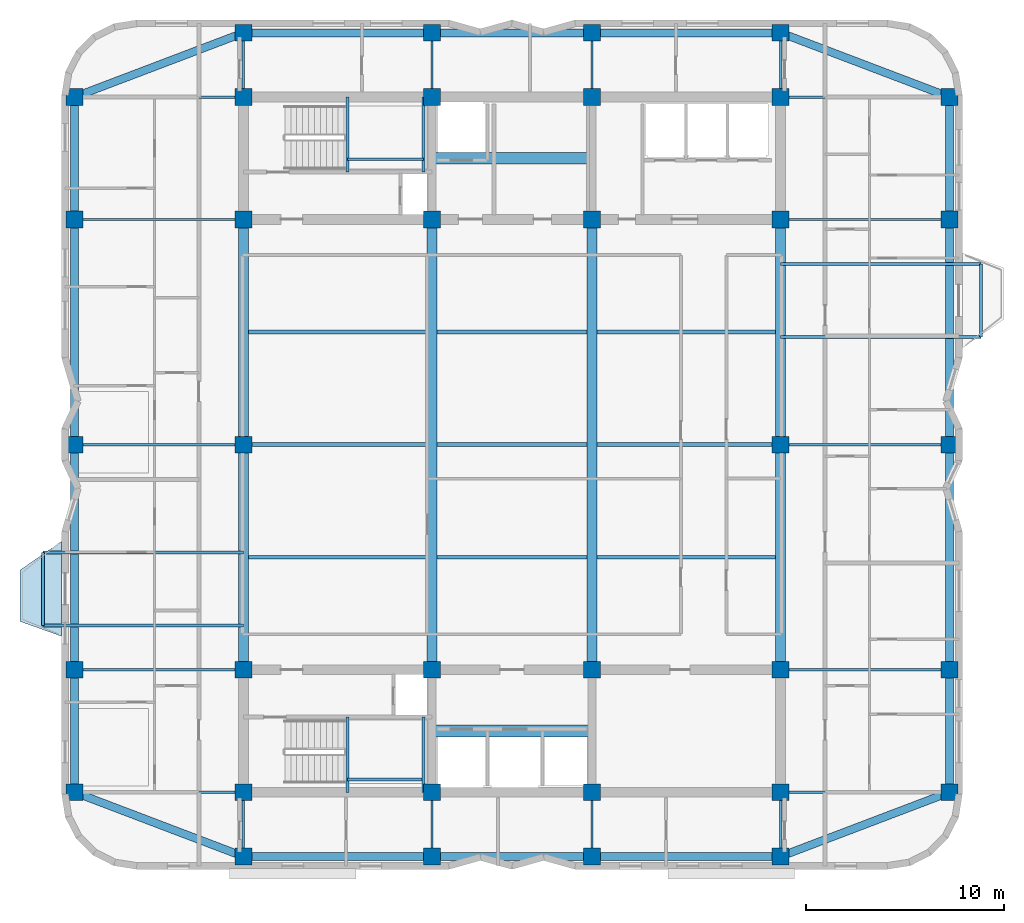
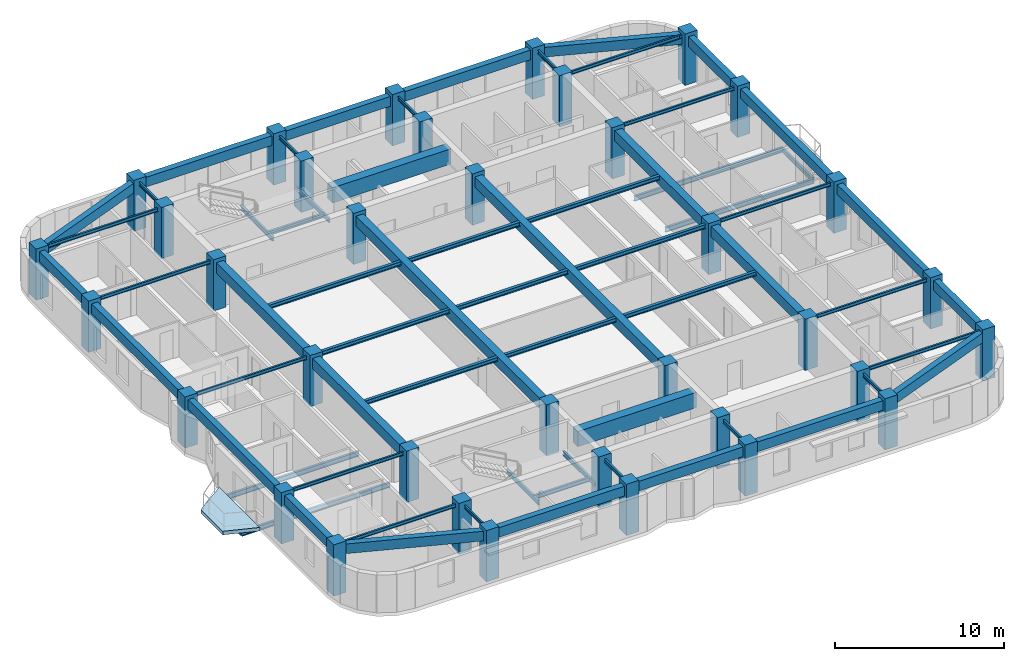
# One storey, part 1 of 9: 65 beams, 36 columns, 1 slab.
"""IFC4 building model written with IfcOpenShell, lengths in metres."""

from ifc_helpers import new_model, si_unit, direction, frame, origin, origin_2d, place, context, subcontext, project, spatial, polyline, rectangle, i_section, outline, extrude, material, layer, layer_set, material_profile, profile_set, type_object, element, save


model = new_model("IFC4")

# Units and contexts
model_context = context("Model", 3, precision=1e-05, world=origin(), true_north=direction((0.0, 1.0)))
body_context = subcontext(model_context, "Body", "Model", "MODEL_VIEW")
ifc_project = project(units=[si_unit("LENGTHUNIT", "METRE"), si_unit("AREAUNIT", "SQUARE_METRE"), si_unit("VOLUMEUNIT", "CUBIC_METRE"), si_unit("PLANEANGLEUNIT", "RADIAN"), si_unit("MASSUNIT", "GRAM", prefix="KILO")], contexts=[model_context])

# Site, building, storey
site_placement = place(None, origin())
site = spatial("IfcSite", under=ifc_project, at=site_placement, CompositionType="ELEMENT")
building_placement = place(site_placement, origin())
building = spatial("IfcBuilding", under=site, at=building_placement, Name="Svetorya Sky Lyceum", CompositionType="ELEMENT")
storey_placement = place(building_placement, frame((0.0, 0.0, 214.699951171875)))
storey = spatial("IfcBuildingStorey", under=building, at=storey_placement, Name="L53", CompositionType="ELEMENT", Elevation=214.699951171875)

# Columns
ifc_material_1 = material(Name="Concrete C50/60", Category="concrete")
ifc_material_profile_1 = material_profile(ifc_material_1, rectangle(XDim=0.85009765625, YDim=0.85009765625, at=origin_2d()), Name="RC COL 850x850")
ifc_profile_set_1 = profile_set([ifc_material_profile_1], Name="Concrete C50/60")
column_type = type_object("IfcColumnType", Name="COL-RC-850", PredefinedType="COLUMN", material=ifc_profile_set_1)
for number, where, z_axis, x_axis, name in (
    (1, (25.60009765625, 10.60009765625, 0.0), (0.0, 0.0, 1.0), (1.0, 0.0, 0.0), "L53 Core Column CS-11"),
    (2, (25.60009765625, 16.800048828125, 0.0), (0.0, 0.0, 1.0), (1.0, 0.0, 0.0), "L53 Core Column CS-12"),
    (3, (35.14990234375, 10.60009765625, 0.0), (0.0, 0.0, 1.0), (1.0, 0.0, 0.0), "L53 Core Column CS-21"),
    (4, (35.14990234375, 16.800048828125, 0.0), (0.0, 0.0, 1.0), (1.0, 0.0, 0.0), "L53 Core Column CS-22"),
    (5, (43.25, 10.60009765625, 0.0), (0.0, 0.0, 1.0), (1.0, 0.0, 0.0), "L53 Core Column CS-31"),
    (6, (43.25, 16.800048828125, 0.0), (0.0, 0.0, 1.0), (1.0, 0.0, 0.0), "L53 Core Column CS-32"),
    (7, (52.800048828125, 10.60009765625, 0.0), (0.0, 0.0, 1.0), (1.0, 0.0, 0.0), "L53 Core Column CS-41"),
    (8, (52.800048828125, 16.800048828125, 0.0), (0.0, 0.0, 1.0), (1.0, 0.0, 0.0), "L53 Core Column CS-42"),
    (9, (25.60009765625, 39.60009765625, 0.0), (0.0, 0.0, 1.0), (1.0, 0.0, 0.0), "L53 Core Column CN-11"),
    (10, (25.60009765625, 45.800048828125, 0.0), (0.0, 0.0, 1.0), (1.0, 0.0, 0.0), "L53 Core Column CN-12"),
    (11, (35.14990234375, 39.60009765625, 0.0), (0.0, 0.0, 1.0), (1.0, 0.0, 0.0), "L53 Core Column CN-21"),
    (12, (35.14990234375, 45.800048828125, 0.0), (0.0, 0.0, 1.0), (1.0, 0.0, 0.0), "L53 Core Column CN-22"),
    (13, (43.25, 39.60009765625, 0.0), (0.0, 0.0, 1.0), (1.0, 0.0, 0.0), "L53 Core Column CN-31"),
    (14, (43.25, 45.800048828125, 0.0), (0.0, 0.0, 1.0), (1.0, 0.0, 0.0), "L53 Core Column CN-32"),
    (15, (52.800048828125, 39.60009765625, 0.0), (0.0, 0.0, 1.0), (1.0, 0.0, 0.0), "L53 Core Column CN-41"),
    (16, (52.800048828125, 45.800048828125, 0.0), (0.0, 0.0, 1.0), (1.0, 0.0, 0.0), "L53 Core Column CN-42"),
    (17, (25.60009765625, 28.199951171875, 0.0), (0.0, 0.0, 1.0), (1.0, 0.0, 0.0), "L53 Core Column CM-W"),
    (18, (52.800048828125, 28.199951171875, 0.0), (0.0, 0.0, 1.0), (1.0, 0.0, 0.0), "L53 Core Column CM-E"),
    (19, (25.60009765625, 7.35009765625, 0.0), (0.0, 0.0, 1.0), (1.0, 0.0, 0.0), "L53 Perimeter Column S1"),
    (20, (25.60009765625, 49.050048828125, 0.0), (0.0, 0.0, 1.0), (1.0, 0.0, 0.0), "L53 Perimeter Column N1"),
    (21, (35.14990234375, 7.35009765625, 0.0), (0.0, 0.0, 1.0), (1.0, 0.0, 0.0), "L53 Perimeter Column S2"),
    (22, (35.14990234375, 49.050048828125, 0.0), (0.0, 0.0, 1.0), (1.0, 0.0, 0.0), "L53 Perimeter Column N2"),
    (23, (43.25, 7.35009765625, 0.0), (0.0, 0.0, 1.0), (1.0, 0.0, 0.0), "L53 Perimeter Column S3"),
    (24, (43.25, 49.050048828125, 0.0), (0.0, 0.0, 1.0), (1.0, 0.0, 0.0), "L53 Perimeter Column N3"),
    (25, (52.800048828125, 7.35009765625, 0.0), (0.0, 0.0, 1.0), (1.0, 0.0, 0.0), "L53 Perimeter Column S4"),
    (26, (52.800048828125, 49.050048828125, 0.0), (0.0, 0.0, 1.0), (1.0, 0.0, 0.0), "L53 Perimeter Column N4"),
    (27, (17.050048828125, 10.60009765625, 0.0), (0.0, 0.0, 1.0), (1.0, 0.0, 0.0), "L53 Perimeter Column W1"),
    (28, (61.35009765625, 10.60009765625, 0.0), (0.0, 0.0, 1.0), (1.0, 0.0, 0.0), "L53 Perimeter Column E1"),
    (29, (17.050048828125, 16.800048828125, 0.0), (0.0, 0.0, 1.0), (1.0, 0.0, 0.0), "L53 Perimeter Column W2"),
    (30, (61.35009765625, 16.800048828125, 0.0), (0.0, 0.0, 1.0), (1.0, 0.0, 0.0), "L53 Perimeter Column E2"),
    (31, (17.050048828125, 28.199951171875, 0.0), (0.0, 0.0, 1.0), (1.0, 0.0, 0.0), "L53 Perimeter Column W3"),
    (32, (61.35009765625, 28.199951171875, 0.0), (0.0, 0.0, 1.0), (1.0, 0.0, 0.0), "L53 Perimeter Column E3"),
    (33, (17.050048828125, 39.60009765625, 0.0), (0.0, 0.0, 1.0), (1.0, 0.0, 0.0), "L53 Perimeter Column W4"),
    (34, (61.35009765625, 39.60009765625, 0.0), (0.0, 0.0, 1.0), (1.0, 0.0, 0.0), "L53 Perimeter Column E4"),
    (35, (17.050048828125, 45.800048828125, 0.0), (0.0, 0.0, 1.0), (1.0, 0.0, 0.0), "L53 Perimeter Column W5"),
    (36, (61.35009765625, 45.800048828125, 0.0), (0.0, 0.0, 1.0), (1.0, 0.0, 0.0), "L53 Perimeter Column E5"),
):
    element("IfcColumn", number, at=place(storey_placement, frame(where, z_axis=z_axis, x_axis=x_axis)), inside=storey, type_object=column_type, Name=name, PredefinedType="COLUMN", context=body_context, shape_type="SweptSolid", body=[
        extrude(rectangle(XDim=0.85009765625, YDim=0.85009765625, at=origin_2d()), origin(), (0.0, 0.0, 1.0), 3.699951171875),
    ])

# Beams
ifc_material_2 = material(Name="Concrete C60/75", Category="concrete")
ifc_material_profile_2 = material_profile(ifc_material_2, rectangle(XDim=0.60009765625, YDim=1.10009765625, at=origin_2d()), Name="RC COUPLING 600x1100")
ifc_profile_set_2 = profile_set([ifc_material_profile_2], Name="Concrete C60/75")
beam_type_1 = type_object("IfcBeamType", Name="BM-CPL-1100", PredefinedType="LINTEL", material=ifc_profile_set_2)
for number, where, z_axis, x_axis, name in (
    (37, (35.14990234375, 13.699951171875, 2.89013671875), (1.0, 0.0, 0.0), (0.0, 1.0, 0.0), "L53 SC Core Coupling Beam"),
    (38, (35.14990234375, 42.699951171875, 2.89013671875), (1.0, 0.0, 0.0), (0.0, 1.0, 0.0), "L53 NC Core Coupling Beam"),
):
    element("IfcBeam", number, at=place(storey_placement, frame(where, z_axis=z_axis, x_axis=x_axis)), inside=storey, type_object=beam_type_1, Name=name, PredefinedType="LINTEL", context=body_context, shape_type="SweptSolid", body=[
        extrude(rectangle(XDim=0.60009765625, YDim=1.10009765625, at=origin_2d()), origin(), (0.0, 0.0, 1.0), 8.10009765625),
    ])
ifc_material_profile_3 = material_profile(ifc_material_1, rectangle(XDim=0.5, YDim=0.75, at=origin_2d()), Name="RC BEAM 500x750")
ifc_profile_set_3 = profile_set([ifc_material_profile_3], Name="Concrete C50/60")
beam_type_2 = type_object("IfcBeamType", Name="BM-RC-750", PredefinedType="BEAM", material=ifc_profile_set_3)
beam_1_placement = place(storey_placement, frame((25.60009765625, 16.800048828125, 3.06494140625), z_axis=(0.0, 1.0, 0.0), x_axis=(-1.0, 0.0, 0.0)))
element("IfcBeam", 39, at=beam_1_placement, inside=storey, type_object=beam_type_2, Name="L53 Central Bay Primary Girder CG-1A", PredefinedType="BEAM", context=body_context, shape_type="SweptSolid", body=[
    extrude(rectangle(XDim=0.5, YDim=0.75, at=origin_2d()), origin(), (0.0, 0.0, 1.0), 11.39990234375),
])
beam_2_placement = place(storey_placement, frame((25.60009765625, 28.199951171875, 3.06494140625), z_axis=(0.0, 1.0, 0.0), x_axis=(-1.0, 0.0, 0.0)))
element("IfcBeam", 40, at=beam_2_placement, inside=storey, type_object=beam_type_2, Name="L53 Central Bay Primary Girder CG-1B", PredefinedType="BEAM", context=body_context, shape_type="SweptSolid", body=[
    extrude(rectangle(XDim=0.5, YDim=0.75, at=origin_2d()), origin(), (0.0, 0.0, 1.0), 11.400146484375),
])
for number, where, z_axis, x_axis, name in (
    (41, (35.14990234375, 16.800048828125, 3.06494140625), (0.0, 1.0, 0.0), (-1.0, 0.0, 0.0), "L53 Central Bay Primary Girder CG-2"),
    (42, (43.25, 16.800048828125, 3.06494140625), (0.0, 1.0, 0.0), (-1.0, 0.0, 0.0), "L53 Central Bay Primary Girder CG-3"),
):
    element("IfcBeam", number, at=place(storey_placement, frame(where, z_axis=z_axis, x_axis=x_axis)), inside=storey, type_object=beam_type_2, Name=name, PredefinedType="BEAM", context=body_context, shape_type="SweptSolid", body=[
        extrude(rectangle(XDim=0.5, YDim=0.75, at=origin_2d()), origin(), (0.0, 0.0, 1.0), 22.800048828125),
    ])
beam_3_placement = place(storey_placement, frame((52.800048828125, 16.800048828125, 3.06494140625), z_axis=(0.0, 1.0, 0.0), x_axis=(-1.0, 0.0, 0.0)))
element("IfcBeam", 43, at=beam_3_placement, inside=storey, type_object=beam_type_2, Name="L53 Central Bay Primary Girder CG-4A", PredefinedType="BEAM", context=body_context, shape_type="SweptSolid", body=[
    extrude(rectangle(XDim=0.5, YDim=0.75, at=origin_2d()), origin(), (0.0, 0.0, 1.0), 11.39990234375),
])
beam_4_placement = place(storey_placement, frame((52.800048828125, 28.199951171875, 3.06494140625), z_axis=(0.0, 1.0, 0.0), x_axis=(-1.0, 0.0, 0.0)))
element("IfcBeam", 44, at=beam_4_placement, inside=storey, type_object=beam_type_2, Name="L53 Central Bay Primary Girder CG-4B", PredefinedType="BEAM", context=body_context, shape_type="SweptSolid", body=[
    extrude(rectangle(XDim=0.5, YDim=0.75, at=origin_2d()), origin(), (0.0, 0.0, 1.0), 11.400146484375),
])
ifc_material_profile_4 = material_profile(ifc_material_1, rectangle(XDim=0.39990234375, YDim=0.699951171875, at=origin_2d()), Name="RC SPANDREL 400x700")
ifc_profile_set_4 = profile_set([ifc_material_profile_4], Name="Concrete C50/60")
beam_type_3 = type_object("IfcBeamType", Name="BM-SPN-700", PredefinedType="SPANDREL", material=ifc_profile_set_4)
beam_5_placement = place(storey_placement, frame((25.60009765625, 7.35009765625, 3.090087890625), z_axis=(1.0, 0.0, 0.0), x_axis=(0.0, 1.0, 0.0)))
element("IfcBeam", 45, at=beam_5_placement, inside=storey, type_object=beam_type_3, Name="L53 South Spandrel 1", PredefinedType="SPANDREL", context=body_context, shape_type="SweptSolid", body=[
    extrude(rectangle(XDim=0.39990234375, YDim=0.699951171875, at=origin_2d()), origin(), (0.0, 0.0, 1.0), 9.5498046875),
])
beam_6_placement = place(storey_placement, frame((35.14990234375, 7.35009765625, 3.090087890625), z_axis=(1.0, 0.0, 0.0), x_axis=(0.0, 1.0, 0.0)))
element("IfcBeam", 46, at=beam_6_placement, inside=storey, type_object=beam_type_3, Name="L53 South Spandrel 2", PredefinedType="SPANDREL", context=body_context, shape_type="SweptSolid", body=[
    extrude(rectangle(XDim=0.39990234375, YDim=0.699951171875, at=origin_2d()), origin(), (0.0, 0.0, 1.0), 8.10009765625),
])
beam_7_placement = place(storey_placement, frame((43.25, 7.35009765625, 3.090087890625), z_axis=(1.0, 0.0, 0.0), x_axis=(0.0, 1.0, 0.0)))
element("IfcBeam", 47, at=beam_7_placement, inside=storey, type_object=beam_type_3, Name="L53 South Spandrel 3", PredefinedType="SPANDREL", context=body_context, shape_type="SweptSolid", body=[
    extrude(rectangle(XDim=0.39990234375, YDim=0.699951171875, at=origin_2d()), origin(), (0.0, 0.0, 1.0), 9.550048828125),
])
beam_8_placement = place(storey_placement, frame((25.60009765625, 49.050048828125, 3.090087890625), z_axis=(1.0, 0.0, 0.0), x_axis=(0.0, 1.0, 0.0)))
element("IfcBeam", 48, at=beam_8_placement, inside=storey, type_object=beam_type_3, Name="L53 North Spandrel 1", PredefinedType="SPANDREL", context=body_context, shape_type="SweptSolid", body=[
    extrude(rectangle(XDim=0.39990234375, YDim=0.699951171875, at=origin_2d()), origin(), (0.0, 0.0, 1.0), 9.5498046875),
])
beam_9_placement = place(storey_placement, frame((35.14990234375, 49.050048828125, 3.090087890625), z_axis=(1.0, 0.0, 0.0), x_axis=(0.0, 1.0, 0.0)))
element("IfcBeam", 49, at=beam_9_placement, inside=storey, type_object=beam_type_3, Name="L53 North Spandrel 2", PredefinedType="SPANDREL", context=body_context, shape_type="SweptSolid", body=[
    extrude(rectangle(XDim=0.39990234375, YDim=0.699951171875, at=origin_2d()), origin(), (0.0, 0.0, 1.0), 8.10009765625),
])
beam_10_placement = place(storey_placement, frame((43.25, 49.050048828125, 3.090087890625), z_axis=(1.0, 0.0, 0.0), x_axis=(0.0, 1.0, 0.0)))
element("IfcBeam", 50, at=beam_10_placement, inside=storey, type_object=beam_type_3, Name="L53 North Spandrel 3", PredefinedType="SPANDREL", context=body_context, shape_type="SweptSolid", body=[
    extrude(rectangle(XDim=0.39990234375, YDim=0.699951171875, at=origin_2d()), origin(), (0.0, 0.0, 1.0), 9.550048828125),
])
for number, where, z_axis, x_axis, name in (
    (51, (25.60009765625, 7.35009765625, 3.090087890625), (-0.934747947367, 0.355311518099, 0.0), (-0.355311518099, -0.934747947367, 0.0), "L53 Corner Spandrel 1"),
    (52, (52.800048828125, 7.35009765625, 3.090087890625), (0.934747947367, 0.355311518099, 0.0), (-0.355311518099, 0.934747947367, 0.0), "L53 Corner Spandrel 2"),
    (53, (61.35009765625, 45.800048828125, 3.090087890625), (-0.934747947367, 0.355311518099, 0.0), (-0.355311518099, -0.934747947367, 0.0), "L53 Corner Spandrel 3"),
    (54, (17.050048828125, 45.800048828125, 3.090087890625), (0.934747947367, 0.355311518099, 0.0), (-0.355311518099, 0.934747947367, 0.0), "L53 Corner Spandrel 4"),
):
    element("IfcBeam", number, at=place(storey_placement, frame(where, z_axis=z_axis, x_axis=x_axis)), inside=storey, type_object=beam_type_3, Name=name, PredefinedType="SPANDREL", context=body_context, shape_type="SweptSolid", body=[
        extrude(rectangle(XDim=0.39990234375, YDim=0.699951171875, at=origin_2d()), origin(), (0.0, 0.0, 1.0), 9.14697265625),
    ])
beam_11_placement = place(storey_placement, frame((17.050048828125, 10.60009765625, 3.090087890625), z_axis=(0.0, 1.0, 0.0), x_axis=(-1.0, 0.0, 0.0)))
element("IfcBeam", 55, at=beam_11_placement, inside=storey, type_object=beam_type_3, Name="L53 West Spandrel 1", PredefinedType="SPANDREL", context=body_context, shape_type="SweptSolid", body=[
    extrude(rectangle(XDim=0.39990234375, YDim=0.699951171875, at=origin_2d()), origin(), (0.0, 0.0, 1.0), 6.199951171875),
])
beam_12_placement = place(storey_placement, frame((17.050048828125, 16.800048828125, 3.090087890625), z_axis=(0.0, 1.0, 0.0), x_axis=(-1.0, 0.0, 0.0)))
element("IfcBeam", 56, at=beam_12_placement, inside=storey, type_object=beam_type_3, Name="L53 West Spandrel 2", PredefinedType="SPANDREL", context=body_context, shape_type="SweptSolid", body=[
    extrude(rectangle(XDim=0.39990234375, YDim=0.699951171875, at=origin_2d()), origin(), (0.0, 0.0, 1.0), 11.39990234375),
])
beam_13_placement = place(storey_placement, frame((17.050048828125, 28.199951171875, 3.090087890625), z_axis=(0.0, 1.0, 0.0), x_axis=(-1.0, 0.0, 0.0)))
element("IfcBeam", 57, at=beam_13_placement, inside=storey, type_object=beam_type_3, Name="L53 West Spandrel 3", PredefinedType="SPANDREL", context=body_context, shape_type="SweptSolid", body=[
    extrude(rectangle(XDim=0.39990234375, YDim=0.699951171875, at=origin_2d()), origin(), (0.0, 0.0, 1.0), 11.400146484375),
])
for number, where, z_axis, x_axis, name in (
    (58, (17.050048828125, 39.60009765625, 3.090087890625), (0.0, 1.0, 0.0), (-1.0, 0.0, 0.0), "L53 West Spandrel 4"),
    (59, (61.35009765625, 10.60009765625, 3.090087890625), (0.0, 1.0, 0.0), (-1.0, 0.0, 0.0), "L53 East Spandrel 1"),
):
    element("IfcBeam", number, at=place(storey_placement, frame(where, z_axis=z_axis, x_axis=x_axis)), inside=storey, type_object=beam_type_3, Name=name, PredefinedType="SPANDREL", context=body_context, shape_type="SweptSolid", body=[
        extrude(rectangle(XDim=0.39990234375, YDim=0.699951171875, at=origin_2d()), origin(), (0.0, 0.0, 1.0), 6.199951171875),
    ])
beam_14_placement = place(storey_placement, frame((61.35009765625, 16.800048828125, 3.090087890625), z_axis=(0.0, 1.0, 0.0), x_axis=(-1.0, 0.0, 0.0)))
element("IfcBeam", 60, at=beam_14_placement, inside=storey, type_object=beam_type_3, Name="L53 East Spandrel 2", PredefinedType="SPANDREL", context=body_context, shape_type="SweptSolid", body=[
    extrude(rectangle(XDim=0.39990234375, YDim=0.699951171875, at=origin_2d()), origin(), (0.0, 0.0, 1.0), 11.39990234375),
])
beam_15_placement = place(storey_placement, frame((61.35009765625, 28.199951171875, 3.090087890625), z_axis=(0.0, 1.0, 0.0), x_axis=(-1.0, 0.0, 0.0)))
element("IfcBeam", 61, at=beam_15_placement, inside=storey, type_object=beam_type_3, Name="L53 East Spandrel 3", PredefinedType="SPANDREL", context=body_context, shape_type="SweptSolid", body=[
    extrude(rectangle(XDim=0.39990234375, YDim=0.699951171875, at=origin_2d()), origin(), (0.0, 0.0, 1.0), 11.400146484375),
])
beam_16_placement = place(storey_placement, frame((61.35009765625, 39.60009765625, 3.090087890625), z_axis=(0.0, 1.0, 0.0), x_axis=(-1.0, 0.0, 0.0)))
element("IfcBeam", 62, at=beam_16_placement, inside=storey, type_object=beam_type_3, Name="L53 East Spandrel 4", PredefinedType="SPANDREL", context=body_context, shape_type="SweptSolid", body=[
    extrude(rectangle(XDim=0.39990234375, YDim=0.699951171875, at=origin_2d()), origin(), (0.0, 0.0, 1.0), 6.199951171875),
])
ifc_material_3 = material(Name="Steel S355", Category="steel")
ifc_material_profile_5 = material_profile(ifc_material_3, i_section(OverallWidth=0.1240234375, OverallDepth=0.248046875, WebThickness=0.006103515625, FlangeThickness=0.009521484375, at=origin_2d()), Name="GOST 25B2")
ifc_profile_set_5 = profile_set([ifc_material_profile_5], Name="Steel S355")
beam_type_4 = type_object("IfcBeamType", Name="BM-STL-25B2", PredefinedType="JOIST", material=ifc_profile_set_5)
for number, where, z_axis, x_axis, name in (
    (63, (17.050048828125, 10.60009765625, 3.316162109375), (1.0, 0.0, 0.0), (0.0, 1.0, 0.0), "L53 West Wing Floor Joist W1"),
    (64, (52.800048828125, 10.60009765625, 3.316162109375), (1.0, 0.0, 0.0), (0.0, 1.0, 0.0), "L53 East Wing Floor Joist E1"),
    (65, (17.050048828125, 16.800048828125, 3.316162109375), (1.0, 0.0, 0.0), (0.0, 1.0, 0.0), "L53 West Wing Floor Joist W2"),
    (66, (52.800048828125, 16.800048828125, 3.316162109375), (1.0, 0.0, 0.0), (0.0, 1.0, 0.0), "L53 East Wing Floor Joist E2"),
    (67, (17.050048828125, 28.199951171875, 3.316162109375), (1.0, 0.0, 0.0), (0.0, 1.0, 0.0), "L53 West Wing Floor Joist W3"),
    (68, (52.800048828125, 28.199951171875, 3.316162109375), (1.0, 0.0, 0.0), (0.0, 1.0, 0.0), "L53 East Wing Floor Joist E3"),
    (69, (17.050048828125, 39.60009765625, 3.316162109375), (1.0, 0.0, 0.0), (0.0, 1.0, 0.0), "L53 West Wing Floor Joist W4"),
    (70, (52.800048828125, 39.60009765625, 3.316162109375), (1.0, 0.0, 0.0), (0.0, 1.0, 0.0), "L53 East Wing Floor Joist E4"),
    (71, (17.050048828125, 45.800048828125, 3.316162109375), (1.0, 0.0, 0.0), (0.0, 1.0, 0.0), "L53 West Wing Floor Joist W5"),
    (72, (52.800048828125, 45.800048828125, 3.316162109375), (1.0, 0.0, 0.0), (0.0, 1.0, 0.0), "L53 East Wing Floor Joist E5"),
):
    element("IfcBeam", number, at=place(storey_placement, frame(where, z_axis=z_axis, x_axis=x_axis)), inside=storey, type_object=beam_type_4, Name=name, PredefinedType="JOIST", context=body_context, shape_type="SweptSolid", body=[
        extrude(i_section(OverallWidth=0.1240234375, OverallDepth=0.248046875, WebThickness=0.006103515625, FlangeThickness=0.009521484375, at=origin_2d()), origin(), (0.0, 0.0, 1.0), 8.550048828125),
    ])
for number, where, z_axis, x_axis, name in (
    (73, (25.60009765625, 7.35009765625, 3.316162109375), (0.0, 1.0, 0.0), (-1.0, 0.0, 0.0), "L53 South Bay Floor Girder S1"),
    (74, (25.60009765625, 45.800048828125, 3.316162109375), (0.0, 1.0, 0.0), (-1.0, 0.0, 0.0), "L53 North Bay Floor Girder N1"),
    (75, (35.14990234375, 7.35009765625, 3.316162109375), (0.0, 1.0, 0.0), (-1.0, 0.0, 0.0), "L53 South Bay Floor Girder S2"),
    (76, (35.14990234375, 45.800048828125, 3.316162109375), (0.0, 1.0, 0.0), (-1.0, 0.0, 0.0), "L53 North Bay Floor Girder N2"),
    (77, (43.25, 7.35009765625, 3.316162109375), (0.0, 1.0, 0.0), (-1.0, 0.0, 0.0), "L53 South Bay Floor Girder S3"),
    (78, (43.25, 45.800048828125, 3.316162109375), (0.0, 1.0, 0.0), (-1.0, 0.0, 0.0), "L53 North Bay Floor Girder N3"),
    (79, (52.800048828125, 7.35009765625, 3.316162109375), (0.0, 1.0, 0.0), (-1.0, 0.0, 0.0), "L53 South Bay Floor Girder S4"),
    (80, (52.800048828125, 45.800048828125, 3.316162109375), (0.0, 1.0, 0.0), (-1.0, 0.0, 0.0), "L53 North Bay Floor Girder N4"),
):
    element("IfcBeam", number, at=place(storey_placement, frame(where, z_axis=z_axis, x_axis=x_axis)), inside=storey, type_object=beam_type_4, Name=name, PredefinedType="JOIST", context=body_context, shape_type="SweptSolid", body=[
        extrude(i_section(OverallWidth=0.1240234375, OverallDepth=0.248046875, WebThickness=0.006103515625, FlangeThickness=0.009521484375, at=origin_2d()), origin(), (0.0, 0.0, 1.0), 3.25),
    ])
ifc_material_profile_6 = material_profile(ifc_material_3, i_section(OverallWidth=0.14990234375, OverallDepth=0.299072265625, WebThickness=0.006591796875, FlangeThickness=0.010498046875, at=origin_2d()), Name="GOST 30B2")
ifc_profile_set_6 = profile_set([ifc_material_profile_6], Name="Steel S355")
beam_type_5 = type_object("IfcBeamType", Name="BM-STL-30B2", PredefinedType="JOIST", material=ifc_profile_set_6)
beam_17_placement = place(storey_placement, frame((15.449951171875, 19.050048828125, -0.4345703125), z_axis=(0.0, 1.0, 0.0), x_axis=(-1.0, 0.0, 0.0)))
element("IfcBeam", 81, at=beam_17_placement, inside=storey, type_object=beam_type_5, Name="L53 Balcony Edge Tie BAL-W1", PredefinedType="JOIST", context=body_context, shape_type="SweptSolid", body=[
    extrude(i_section(OverallWidth=0.14990234375, OverallDepth=0.299072265625, WebThickness=0.006591796875, FlangeThickness=0.010498046875, at=origin_2d()), origin(), (0.0, 0.0, 1.0), 3.699951171875),
])
beam_18_placement = place(storey_placement, frame((62.949951171875, 33.64990234375, -0.4345703125), z_axis=(0.0, 1.0, 0.0), x_axis=(-1.0, 0.0, 0.0)))
element("IfcBeam", 82, at=beam_18_placement, inside=storey, type_object=beam_type_5, Name="L53 Balcony Edge Tie BAL-E1", PredefinedType="JOIST", context=body_context, shape_type="SweptSolid", body=[
    extrude(i_section(OverallWidth=0.14990234375, OverallDepth=0.299072265625, WebThickness=0.006591796875, FlangeThickness=0.010498046875, at=origin_2d()), origin(), (0.0, 0.0, 1.0), 3.7001953125),
])
for number, where, z_axis, x_axis, name in (
    (83, (30.8798828125, 10.60009765625, 1.50048828125), (0.0, 1.0, 0.0), (-1.0, 0.0, 0.0), "L53 Stair ST-S Half-Landing Support Beam 61.1"),
    (84, (34.719970703125, 10.60009765625, 1.50048828125), (0.0, 1.0, 0.0), (-1.0, 0.0, 0.0), "L53 Stair ST-S Half-Landing Support Beam 61.2"),
):
    element("IfcBeam", number, at=place(storey_placement, frame(where, z_axis=z_axis, x_axis=x_axis)), inside=storey, type_object=beam_type_5, Name=name, PredefinedType="JOIST", context=body_context, shape_type="SweptSolid", body=[
        extrude(i_section(OverallWidth=0.14990234375, OverallDepth=0.299072265625, WebThickness=0.006591796875, FlangeThickness=0.010498046875, at=origin_2d()), origin(), (0.0, 0.0, 1.0), 3.7998046875),
    ])
beam_19_placement = place(storey_placement, frame((30.8798828125, 11.25, 1.50048828125), z_axis=(1.0, 0.0, 0.0), x_axis=(0.0, 1.0, 0.0)))
element("IfcBeam", 85, at=beam_19_placement, inside=storey, type_object=beam_type_5, Name="L53 Stair ST-S Half-Landing Cross Tie 61", PredefinedType="JOIST", context=body_context, shape_type="SweptSolid", body=[
    extrude(i_section(OverallWidth=0.14990234375, OverallDepth=0.299072265625, WebThickness=0.006591796875, FlangeThickness=0.010498046875, at=origin_2d()), origin(), (0.0, 0.0, 1.0), 3.840087890625),
])
for number, where, z_axis, x_axis, name in (
    (86, (30.8798828125, 42.0, 1.50048828125), (0.0, 1.0, 0.0), (-1.0, 0.0, 0.0), "L53 Stair ST-N Half-Landing Support Beam 61.1"),
    (87, (34.719970703125, 42.0, 1.50048828125), (0.0, 1.0, 0.0), (-1.0, 0.0, 0.0), "L53 Stair ST-N Half-Landing Support Beam 61.2"),
):
    element("IfcBeam", number, at=place(storey_placement, frame(where, z_axis=z_axis, x_axis=x_axis)), inside=storey, type_object=beam_type_5, Name=name, PredefinedType="JOIST", context=body_context, shape_type="SweptSolid", body=[
        extrude(i_section(OverallWidth=0.14990234375, OverallDepth=0.299072265625, WebThickness=0.006591796875, FlangeThickness=0.010498046875, at=origin_2d()), origin(), (0.0, 0.0, 1.0), 3.800048828125),
    ])
beam_20_placement = place(storey_placement, frame((30.8798828125, 42.64990234375, 1.50048828125), z_axis=(1.0, 0.0, 0.0), x_axis=(0.0, 1.0, 0.0)))
element("IfcBeam", 88, at=beam_20_placement, inside=storey, type_object=beam_type_5, Name="L53 Stair ST-N Half-Landing Cross Tie 61", PredefinedType="JOIST", context=body_context, shape_type="SweptSolid", body=[
    extrude(i_section(OverallWidth=0.14990234375, OverallDepth=0.299072265625, WebThickness=0.006591796875, FlangeThickness=0.010498046875, at=origin_2d()), origin(), (0.0, 0.0, 1.0), 3.840087890625),
])
ifc_material_profile_7 = material_profile(ifc_material_3, i_section(OverallWidth=0.199951171875, OverallDepth=0.298095703125, WebThickness=0.008544921875, FlangeThickness=0.012939453125, at=origin_2d()), Name="GOST 30Sh2")
ifc_profile_set_7 = profile_set([ifc_material_profile_7], Name="Steel S355")
beam_type_6 = type_object("IfcBeamType", Name="BM-STL-30SH2", PredefinedType="BEAM", material=ifc_profile_set_7)
beam_21_placement = place(storey_placement, frame((25.85009765625, 22.5, 3.291015625), z_axis=(1.0, 0.0, 0.0), x_axis=(0.0, 1.0, 0.0)))
element("IfcBeam", 89, at=beam_21_placement, inside=storey, type_object=beam_type_6, Name="L53 Central Floor Joist CJ-1.1", PredefinedType="BEAM", context=body_context, shape_type="SweptSolid", body=[
    extrude(i_section(OverallWidth=0.199951171875, OverallDepth=0.298095703125, WebThickness=0.008544921875, FlangeThickness=0.012939453125, at=origin_2d()), origin(), (0.0, 0.0, 1.0), 9.0498046875),
])
beam_22_placement = place(storey_placement, frame((35.39990234375, 22.5, 3.291015625), z_axis=(1.0, 0.0, 0.0), x_axis=(0.0, 1.0, 0.0)))
element("IfcBeam", 90, at=beam_22_placement, inside=storey, type_object=beam_type_6, Name="L53 Central Floor Joist CJ-1.2", PredefinedType="BEAM", context=body_context, shape_type="SweptSolid", body=[
    extrude(i_section(OverallWidth=0.199951171875, OverallDepth=0.298095703125, WebThickness=0.008544921875, FlangeThickness=0.012939453125, at=origin_2d()), origin(), (0.0, 0.0, 1.0), 7.60009765625),
])
beam_23_placement = place(storey_placement, frame((43.5, 22.5, 3.291015625), z_axis=(1.0, 0.0, 0.0), x_axis=(0.0, 1.0, 0.0)))
element("IfcBeam", 91, at=beam_23_placement, inside=storey, type_object=beam_type_6, Name="L53 Central Floor Joist CJ-1.3", PredefinedType="BEAM", context=body_context, shape_type="SweptSolid", body=[
    extrude(i_section(OverallWidth=0.199951171875, OverallDepth=0.298095703125, WebThickness=0.008544921875, FlangeThickness=0.012939453125, at=origin_2d()), origin(), (0.0, 0.0, 1.0), 9.050048828125),
])
beam_24_placement = place(storey_placement, frame((25.85009765625, 28.199951171875, 3.291015625), z_axis=(1.0, 0.0, 0.0), x_axis=(0.0, 1.0, 0.0)))
element("IfcBeam", 92, at=beam_24_placement, inside=storey, type_object=beam_type_6, Name="L53 Central Floor Joist CJ-2.1", PredefinedType="BEAM", context=body_context, shape_type="SweptSolid", body=[
    extrude(i_section(OverallWidth=0.199951171875, OverallDepth=0.298095703125, WebThickness=0.008544921875, FlangeThickness=0.012939453125, at=origin_2d()), origin(), (0.0, 0.0, 1.0), 9.0498046875),
])
beam_25_placement = place(storey_placement, frame((35.39990234375, 28.199951171875, 3.291015625), z_axis=(1.0, 0.0, 0.0), x_axis=(0.0, 1.0, 0.0)))
element("IfcBeam", 93, at=beam_25_placement, inside=storey, type_object=beam_type_6, Name="L53 Central Floor Joist CJ-2.2", PredefinedType="BEAM", context=body_context, shape_type="SweptSolid", body=[
    extrude(i_section(OverallWidth=0.199951171875, OverallDepth=0.298095703125, WebThickness=0.008544921875, FlangeThickness=0.012939453125, at=origin_2d()), origin(), (0.0, 0.0, 1.0), 7.60009765625),
])
beam_26_placement = place(storey_placement, frame((43.5, 28.199951171875, 3.291015625), z_axis=(1.0, 0.0, 0.0), x_axis=(0.0, 1.0, 0.0)))
element("IfcBeam", 94, at=beam_26_placement, inside=storey, type_object=beam_type_6, Name="L53 Central Floor Joist CJ-2.3", PredefinedType="BEAM", context=body_context, shape_type="SweptSolid", body=[
    extrude(i_section(OverallWidth=0.199951171875, OverallDepth=0.298095703125, WebThickness=0.008544921875, FlangeThickness=0.012939453125, at=origin_2d()), origin(), (0.0, 0.0, 1.0), 9.050048828125),
])
beam_27_placement = place(storey_placement, frame((25.85009765625, 33.89990234375, 3.291015625), z_axis=(1.0, 0.0, 0.0), x_axis=(0.0, 1.0, 0.0)))
element("IfcBeam", 95, at=beam_27_placement, inside=storey, type_object=beam_type_6, Name="L53 Central Floor Joist CJ-3.1", PredefinedType="BEAM", context=body_context, shape_type="SweptSolid", body=[
    extrude(i_section(OverallWidth=0.199951171875, OverallDepth=0.298095703125, WebThickness=0.008544921875, FlangeThickness=0.012939453125, at=origin_2d()), origin(), (0.0, 0.0, 1.0), 9.0498046875),
])
beam_28_placement = place(storey_placement, frame((35.39990234375, 33.89990234375, 3.291015625), z_axis=(1.0, 0.0, 0.0), x_axis=(0.0, 1.0, 0.0)))
element("IfcBeam", 96, at=beam_28_placement, inside=storey, type_object=beam_type_6, Name="L53 Central Floor Joist CJ-3.2", PredefinedType="BEAM", context=body_context, shape_type="SweptSolid", body=[
    extrude(i_section(OverallWidth=0.199951171875, OverallDepth=0.298095703125, WebThickness=0.008544921875, FlangeThickness=0.012939453125, at=origin_2d()), origin(), (0.0, 0.0, 1.0), 7.60009765625),
])
beam_29_placement = place(storey_placement, frame((43.5, 33.89990234375, 3.291015625), z_axis=(1.0, 0.0, 0.0), x_axis=(0.0, 1.0, 0.0)))
element("IfcBeam", 97, at=beam_29_placement, inside=storey, type_object=beam_type_6, Name="L53 Central Floor Joist CJ-3.3", PredefinedType="BEAM", context=body_context, shape_type="SweptSolid", body=[
    extrude(i_section(OverallWidth=0.199951171875, OverallDepth=0.298095703125, WebThickness=0.008544921875, FlangeThickness=0.012939453125, at=origin_2d()), origin(), (0.0, 0.0, 1.0), 9.050048828125),
])
ifc_material_profile_8 = material_profile(ifc_material_3, i_section(OverallWidth=0.155029296875, OverallDepth=0.34912109375, WebThickness=0.007080078125, FlangeThickness=0.011474609375, at=origin_2d()), Name="GOST 35B2")
ifc_profile_set_8 = profile_set([ifc_material_profile_8], Name="Steel S355")
beam_type_7 = type_object("IfcBeamType", Name="BM-STL-35B2", PredefinedType="JOIST", material=ifc_profile_set_8)
for number, where, z_axis, x_axis, name in (
    (98, (25.60009765625, 19.050048828125, -0.4345703125), (-1.0, 0.0, 0.0), (0.0, -1.0, 0.0), "L53 Balcony Cantilever Beam BAL-W1-1"),
    (99, (25.60009765625, 22.75, -0.4345703125), (-1.0, 0.0, 0.0), (0.0, -1.0, 0.0), "L53 Balcony Cantilever Beam BAL-W1-2"),
):
    element("IfcBeam", number, at=place(storey_placement, frame(where, z_axis=z_axis, x_axis=x_axis)), inside=storey, type_object=beam_type_7, Name=name, PredefinedType="JOIST", context=body_context, shape_type="SweptSolid", body=[
        extrude(i_section(OverallWidth=0.155029296875, OverallDepth=0.34912109375, WebThickness=0.007080078125, FlangeThickness=0.011474609375, at=origin_2d()), origin(), (0.0, 0.0, 1.0), 10.150146484375),
    ])
for number, where, z_axis, x_axis, name in (
    (100, (52.800048828125, 33.64990234375, -0.4345703125), (1.0, 0.0, 0.0), (0.0, 1.0, 0.0), "L53 Balcony Cantilever Beam BAL-E1-1"),
    (101, (52.800048828125, 37.35009765625, -0.4345703125), (1.0, 0.0, 0.0), (0.0, 1.0, 0.0), "L53 Balcony Cantilever Beam BAL-E1-2"),
):
    element("IfcBeam", number, at=place(storey_placement, frame(where, z_axis=z_axis, x_axis=x_axis)), inside=storey, type_object=beam_type_7, Name=name, PredefinedType="JOIST", context=body_context, shape_type="SweptSolid", body=[
        extrude(i_section(OverallWidth=0.155029296875, OverallDepth=0.34912109375, WebThickness=0.007080078125, FlangeThickness=0.011474609375, at=origin_2d()), origin(), (0.0, 0.0, 1.0), 10.14990234375),
    ])

# Slab
ifc_material_4 = material(Name="Concrete C40/50", Category="concrete")
ifc_layer = layer(ifc_material_4, 0.260009765625)
ifc_layer_set = layer_set([ifc_layer], Name="Concrete C40/50")
slab_type = type_object("IfcSlabType", Name="SL-BAL-260", PredefinedType="FLOOR", material=ifc_layer_set)
slab_placement = place(storey_placement, frame((0.0, 0.0, -0.260009765625)))
element("IfcSlab", 102, at=slab_placement, inside=storey, type_object=slab_type, Name="L53 Chamfered Loggia Balcony BAL-W1", PredefinedType="FLOOR", context=body_context, shape_type="SweptSolid", body=[
    extrude(outline(polyline([(16.389892578125, 18.5), (16.389892578125, 23.300048828125), (14.2900390625, 21.85009765625), (14.2900390625, 19.25), (16.389892578125, 18.5)])), origin(), (0.0, 0.0, 1.0), 0.260009765625),
])

save(model, "model.ifc")
